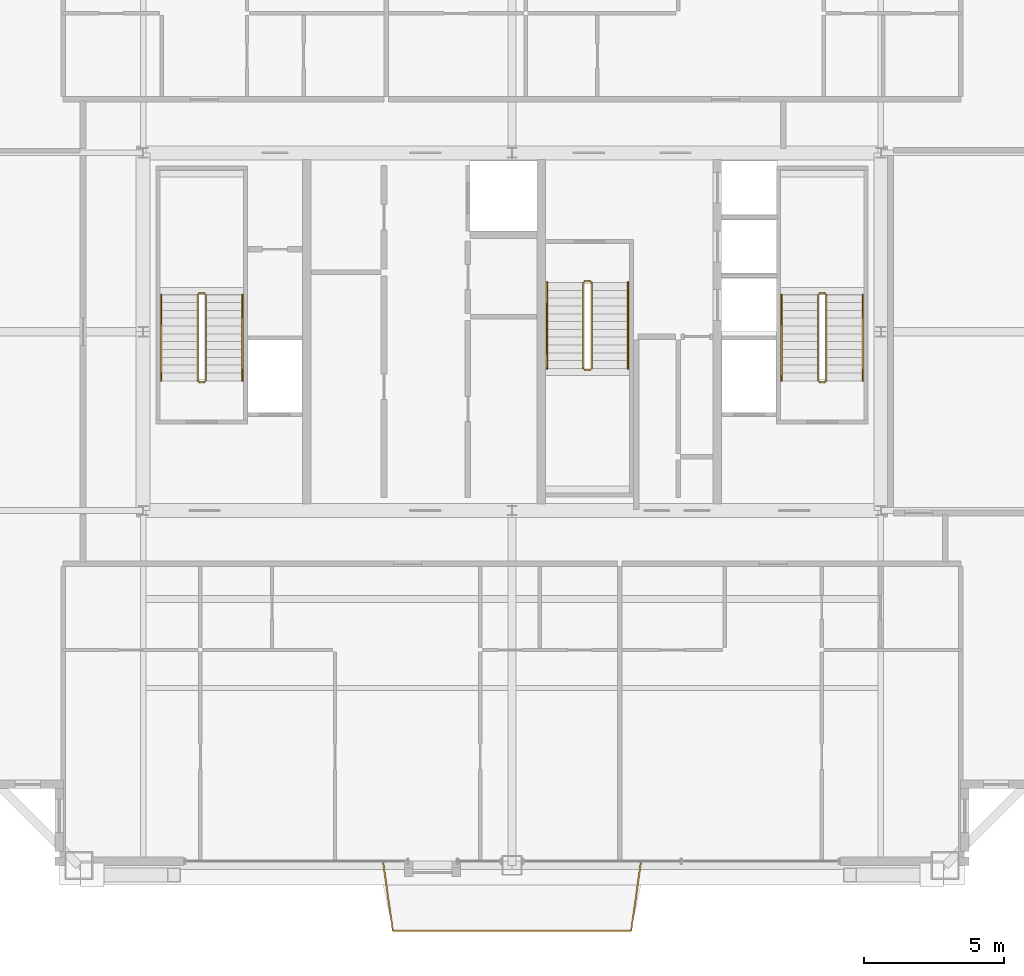
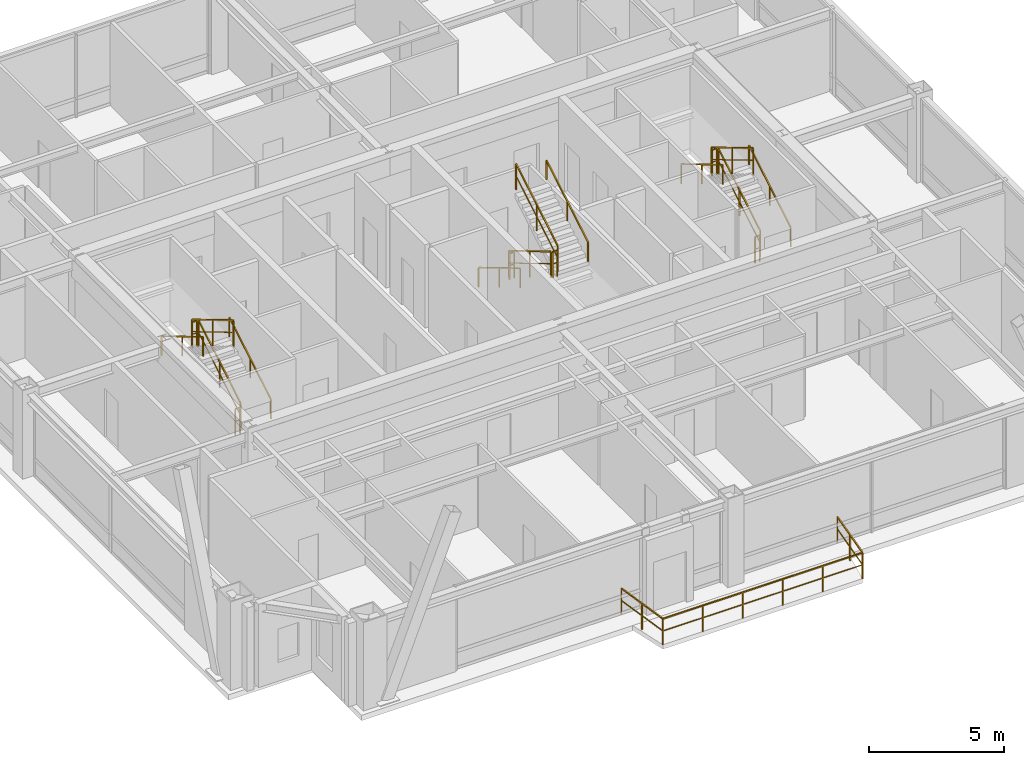
# One storey, part 35 of 35: 19 railings.
"""IFC4 building model written with IfcOpenShell, lengths in metres."""

from ifc_helpers import new_model, si_unit, direction, frame, origin, origin_2d, place, context, subcontext, project, spatial, rectangle, extrude, source, transform, mapped, material, layer, layer_set, type_object, element, save


model = new_model("IFC4")

# Units and contexts
model_context = context("Model", 3, precision=1e-05, world=origin(), true_north=direction((0.0, 1.0)))
body_context = subcontext(model_context, "Body", "Model", "MODEL_VIEW")
ifc_project = project(units=[si_unit("LENGTHUNIT", "METRE"), si_unit("AREAUNIT", "SQUARE_METRE"), si_unit("VOLUMEUNIT", "CUBIC_METRE"), si_unit("PLANEANGLEUNIT", "RADIAN"), si_unit("MASSUNIT", "GRAM", prefix="KILO"), si_unit("THERMODYNAMICTEMPERATUREUNIT", "KELVIN"), si_unit("POWERUNIT", "WATT")], contexts=[model_context])

# Site, building, storey
site_placement = place(None, origin())
site = spatial("IfcSite", under=ifc_project, at=site_placement, CompositionType="ELEMENT")
building_placement = place(site_placement, origin())
building = spatial("IfcBuilding", under=site, at=building_placement, Name="Yuzanri Waterfront Tower", CompositionType="ELEMENT")
storey_placement = place(building_placement, frame((0.0, 0.0, 343.199951171875)))
storey = spatial("IfcBuildingStorey", under=building, at=storey_placement, Name="L92", CompositionType="ELEMENT", Elevation=343.199951171875)

# Railings
ifc_material_1 = material(Name="Anodized Architectural Bronze", Category="metal")
ifc_layer_1 = layer(ifc_material_1, 0.080078125)
ifc_layer_set_1 = layer_set([ifc_layer_1], Name="Anodized Architectural Bronze")
railing_type_1 = type_object("IfcRailingType", Name="Laminated Glass and Bronze Balcony Guardrail 1200", PredefinedType="BALUSTRADE", material=ifc_layer_set_1)
shared_shape_1 = source(origin(), body_context, "Body", "SweptSolid", [
    extrude(rectangle(XDim=0.050048828125, YDim=0.050048828125, at=origin_2d()), frame((0.0, 0.0, 1.1748046875), z_axis=(0.139716103371, -0.990191602903, 0.0), x_axis=(0.990191602903, 0.139716103371, 0.0)), (0.0, 0.0, 1.0), 2.505859375),
    extrude(rectangle(XDim=0.035888671875, YDim=0.030029296875, at=origin_2d()), frame((0.0, 0.0, 0.6240234375), z_axis=(0.139716103371, -0.990191602903, 0.0), x_axis=(0.990191602903, 0.139716103371, 0.0)), (0.0, 0.0, 1.0), 2.505859375),
    extrude(rectangle(XDim=0.050048828125, YDim=0.050048828125, at=origin_2d()), frame((0.35009765625, -2.481201171875, 1.1748046875), z_axis=(1.0, 0.0, 0.0), x_axis=(0.0, 1.0, 0.0)), (0.0, 0.0, 1.0), 8.53076171875),
    extrude(rectangle(XDim=0.035888671875, YDim=0.030029296875, at=origin_2d()), frame((0.35009765625, -2.481201171875, 0.6240234375), z_axis=(1.0, 0.0, 0.0), x_axis=(0.0, 1.0, 0.0)), (0.0, 0.0, 1.0), 8.53076171875),
    extrude(rectangle(XDim=0.050048828125, YDim=0.050048828125, at=origin_2d()), frame((8.880859375, -2.481201171875, 1.1748046875), z_axis=(0.139716103371, 0.990191602903, 0.0), x_axis=(-0.990191602903, 0.139716103371, 0.0)), (0.0, 0.0, 1.0), 2.505859375),
    extrude(rectangle(XDim=0.035888671875, YDim=0.030029296875, at=origin_2d()), frame((8.880859375, -2.481201171875, 0.6240234375), z_axis=(0.139716103371, 0.990191602903, 0.0), x_axis=(-0.990191602903, 0.139716103371, 0.0)), (0.0, 0.0, 1.0), 2.505859375),
    extrude(rectangle(XDim=0.0458984375, YDim=0.0458984375, at=origin_2d()), origin(), (0.0, 0.0, 1.0), 1.14990234375),
    extrude(rectangle(XDim=0.0458984375, YDim=0.0458984375, at=origin_2d()), frame((0.175048828125, -1.24072265625, 0.0)), (0.0, 0.0, 1.0), 1.14990234375),
    extrude(rectangle(XDim=0.0458984375, YDim=0.0458984375, at=origin_2d()), frame((0.35009765625, -2.481201171875, 0.0)), (0.0, 0.0, 1.0), 1.14990234375),
    extrude(rectangle(XDim=0.0458984375, YDim=0.0458984375, at=origin_2d()), frame((2.05615234375, -2.481201171875, 0.0)), (0.0, 0.0, 1.0), 1.14990234375),
    extrude(rectangle(XDim=0.0458984375, YDim=0.0458984375, at=origin_2d()), frame((3.762451171875, -2.481201171875, 0.0)), (0.0, 0.0, 1.0), 1.14990234375),
    extrude(rectangle(XDim=0.0458984375, YDim=0.0458984375, at=origin_2d()), frame((5.468505859375, -2.481201171875, 0.0)), (0.0, 0.0, 1.0), 1.14990234375),
    extrude(rectangle(XDim=0.0458984375, YDim=0.0458984375, at=origin_2d()), frame((7.1748046875, -2.481201171875, 0.0)), (0.0, 0.0, 1.0), 1.14990234375),
    extrude(rectangle(XDim=0.0458984375, YDim=0.0458984375, at=origin_2d()), frame((8.880859375, -2.481201171875, 0.0)), (0.0, 0.0, 1.0), 1.14990234375),
    extrude(rectangle(XDim=0.0458984375, YDim=0.0458984375, at=origin_2d()), frame((9.055908203125, -1.24072265625, 0.0)), (0.0, 0.0, 1.0), 1.14990234375),
    extrude(rectangle(XDim=0.0458984375, YDim=0.0458984375, at=origin_2d()), frame((9.23095703125, 0.0, 0.0)), (0.0, 0.0, 1.0), 1.14990234375),
])
railing_placement = place(storey_placement, frame((32.384521484375, 6.85009765625, 0.0)))
element("IfcRailing", 1, at=railing_placement, inside=storey, type_object=railing_type_1, Name="L92 S Engawa Terrace Guardrail", PredefinedType="BALUSTRADE", context=body_context, shape_type="MappedRepresentation", body=[
    mapped(shared_shape_1, transform((0.0, 0.0, 0.0), scale=1.0)),
])
ifc_material_2 = material(Name="Painted Galvanized Fire Steel", Category="steel")
ifc_layer_2 = layer(ifc_material_2, 0.06005859375)
ifc_layer_set_2 = layer_set([ifc_layer_2], Name="Painted Galvanized Fire Steel")
railing_type_2 = type_object("IfcRailingType", Name="Painted Steel Stairwell Guardrail 1120", PredefinedType="GUARDRAIL", material=ifc_layer_set_2)
shared_shape_2 = source(origin(), body_context, "Body", "SweptSolid", [
    extrude(rectangle(XDim=0.050048828125, YDim=0.050048828125, at=origin_2d()), frame((0.0, 0.0, 1.1748046875), z_axis=(-1.0, 0.0, 0.0), x_axis=(0.0, -1.0, 0.0)), (0.0, 0.0, 1.0), 0.199951171875),
    extrude(rectangle(XDim=0.035888671875, YDim=0.030029296875, at=origin_2d()), frame((0.0, 0.0, 0.6240234375), z_axis=(-1.0, 0.0, 0.0), x_axis=(0.0, -1.0, 0.0)), (0.0, 0.0, 1.0), 0.199951171875),
    extrude(rectangle(XDim=0.0458984375, YDim=0.0458984375, at=origin_2d()), origin(), (0.0, 0.0, 1.0), 1.14990234375),
    extrude(rectangle(XDim=0.0458984375, YDim=0.0458984375, at=origin_2d()), frame((-0.199951171875, 0.0, 0.0)), (0.0, 0.0, 1.0), 1.14990234375),
])
for number, where, name in (
    (2, (26.0, 27.169921875, 2.0), "L92 ST-01 stair guard 2"),
    (3, (26.0, 23.989990234375, 0.0), "L92 ST-01 stair guard 4"),
    (4, (48.199951171875, 27.169921875, 2.0), "L92 ST-02 stair guard 2"),
    (5, (48.199951171875, 23.989990234375, 0.0), "L92 ST-02 stair guard 4"),
):
    element("IfcRailing", number, at=place(storey_placement, frame(where)), inside=storey, type_object=railing_type_2, Name=name, PredefinedType="GUARDRAIL", context=body_context, shape_type="MappedRepresentation", body=[
        mapped(shared_shape_2, transform((0.0, 0.0, 0.0), scale=1.0)),
    ])
shared_shape_3 = source(origin(), body_context, "Body", "SweptSolid", [
    extrude(rectangle(XDim=0.050048828125, YDim=0.050048828125, at=origin_2d()), frame((0.0, 0.0, 1.1748046875), z_axis=(0.0, 0.859308565015, 0.511457515432), x_axis=(-1.0, 0.0, 0.0)), (0.0, 0.0, 1.0), 3.58447265625),
    extrude(rectangle(XDim=0.035888671875, YDim=0.030029296875, at=origin_2d()), frame((0.0, 0.0, 0.6240234375), z_axis=(0.0, 0.859308565015, 0.511457515432), x_axis=(-1.0, 0.0, 0.0)), (0.0, 0.0, 1.0), 3.58447265625),
    extrude(rectangle(XDim=0.0458984375, YDim=0.0458984375, at=origin_2d()), origin(), (0.0, 0.0, 1.0), 1.14990234375),
    extrude(rectangle(XDim=0.0458984375, YDim=0.0458984375, at=origin_2d()), frame((0.0, 1.5400390625, 0.91650390625)), (0.0, 0.0, 1.0), 1.14990234375),
    extrude(rectangle(XDim=0.0458984375, YDim=0.0458984375, at=origin_2d()), frame((0.0, 3.080078125, 1.833251953125)), (0.0, 0.0, 1.0), 1.14990234375),
])
for number, where, name in (
    (6, (26.050048828125, 24.0400390625, 0.166748046875), "L92 ST-01 stair guard 1"),
    (7, (48.25, 24.0400390625, 0.166748046875), "L92 ST-02 stair guard 1"),
    (8, (39.85009765625, 24.47998046875, 2.166748046875), "L92 ST-03 stair guard 3"),
):
    element("IfcRailing", number, at=place(storey_placement, frame(where)), inside=storey, type_object=railing_type_2, Name=name, PredefinedType="GUARDRAIL", context=body_context, shape_type="MappedRepresentation", body=[
        mapped(shared_shape_3, transform((0.0, 0.0, 0.0), scale=1.0)),
    ])
shared_shape_4 = source(origin(), body_context, "Body", "SweptSolid", [
    extrude(rectangle(XDim=0.050048828125, YDim=0.050048828125, at=origin_2d()), frame((0.0, 0.0, 1.1748046875), z_axis=(0.0, -0.859308565015, 0.511457515432), x_axis=(1.0, 0.0, 0.0)), (0.0, 0.0, 1.0), 3.58447265625),
    extrude(rectangle(XDim=0.035888671875, YDim=0.030029296875, at=origin_2d()), frame((0.0, 0.0, 0.6240234375), z_axis=(0.0, -0.859308565015, 0.511457515432), x_axis=(1.0, 0.0, 0.0)), (0.0, 0.0, 1.0), 3.58447265625),
    extrude(rectangle(XDim=0.0458984375, YDim=0.0458984375, at=origin_2d()), origin(), (0.0, 0.0, 1.0), 1.14990234375),
    extrude(rectangle(XDim=0.0458984375, YDim=0.0458984375, at=origin_2d()), frame((0.0, -1.5400390625, 0.91650390625)), (0.0, 0.0, 1.0), 1.14990234375),
    extrude(rectangle(XDim=0.0458984375, YDim=0.0458984375, at=origin_2d()), frame((0.0, -3.080078125, 1.833251953125)), (0.0, 0.0, 1.0), 1.14990234375),
])
for number, where, name in (
    (9, (25.75, 27.1201171875, 2.166748046875), "L92 ST-01 stair guard 3"),
    (10, (47.949951171875, 27.1201171875, 2.166748046875), "L92 ST-02 stair guard 3"),
    (11, (39.550048828125, 27.56005859375, 0.166748046875), "L92 ST-03 stair guard 1"),
):
    element("IfcRailing", number, at=place(storey_placement, frame(where)), inside=storey, type_object=railing_type_2, Name=name, PredefinedType="GUARDRAIL", context=body_context, shape_type="MappedRepresentation", body=[
        mapped(shared_shape_4, transform((0.0, 0.0, 0.0), scale=1.0)),
    ])
ifc_material_3 = material(Name="Anodized Architectural Bronze", Category="metal")
ifc_layer_3 = layer(ifc_material_3, 0.050048828125)
ifc_layer_set_3 = layer_set([ifc_layer_3], Name="Anodized Architectural Bronze")
railing_type_3 = type_object("IfcRailingType", Name="Brushed Bronze Stair Pitch Handrail 920", PredefinedType="HANDRAIL", material=ifc_layer_set_3)
shared_shape_5 = source(origin(), body_context, "Body", "SweptSolid", [
    extrude(rectangle(XDim=0.050048828125, YDim=0.050048828125, at=origin_2d()), frame((0.0, 0.0, 0.875), z_axis=(0.0, 0.859308565015, 0.511457515432), x_axis=(-1.0, 0.0, 0.0)), (0.0, 0.0, 1.0), 3.58447265625),
    extrude(rectangle(XDim=0.0458984375, YDim=0.0458984375, at=origin_2d()), origin(), (0.0, 0.0, 1.0), 0.849853515625),
    extrude(rectangle(XDim=0.0458984375, YDim=0.0458984375, at=origin_2d()), frame((0.0, 1.5400390625, 0.91650390625)), (0.0, 0.0, 1.0), 0.849853515625),
    extrude(rectangle(XDim=0.0458984375, YDim=0.0458984375, at=origin_2d()), frame((0.0, 3.080078125, 1.833251953125)), (0.0, 0.0, 1.0), 0.849853515625),
])
for number, where, name in (
    (12, (27.35009765625, 24.0400390625, 0.166748046875), "L92 ST-01 stair handrail 1"),
    (13, (49.550048828125, 24.0400390625, 0.166748046875), "L92 ST-02 stair handrail 1"),
    (14, (41.14990234375, 24.47998046875, 2.166748046875), "L92 ST-03 stair handrail 2"),
):
    element("IfcRailing", number, at=place(storey_placement, frame(where)), inside=storey, type_object=railing_type_3, Name=name, PredefinedType="HANDRAIL", context=body_context, shape_type="MappedRepresentation", body=[
        mapped(shared_shape_5, transform((0.0, 0.0, 0.0), scale=1.0)),
    ])
shared_shape_6 = source(origin(), body_context, "Body", "SweptSolid", [
    extrude(rectangle(XDim=0.050048828125, YDim=0.050048828125, at=origin_2d()), frame((0.0, 0.0, 0.875), z_axis=(0.0, -0.859308565015, 0.511457515432), x_axis=(1.0, 0.0, 0.0)), (0.0, 0.0, 1.0), 3.58447265625),
    extrude(rectangle(XDim=0.0458984375, YDim=0.0458984375, at=origin_2d()), origin(), (0.0, 0.0, 1.0), 0.849853515625),
    extrude(rectangle(XDim=0.0458984375, YDim=0.0458984375, at=origin_2d()), frame((0.0, -1.5400390625, 0.91650390625)), (0.0, 0.0, 1.0), 0.849853515625),
    extrude(rectangle(XDim=0.0458984375, YDim=0.0458984375, at=origin_2d()), frame((0.0, -3.080078125, 1.833251953125)), (0.0, 0.0, 1.0), 0.849853515625),
])
for number, where, name in (
    (15, (24.449951171875, 27.1201171875, 2.166748046875), "L92 ST-01 stair handrail 2"),
    (16, (46.64990234375, 27.1201171875, 2.166748046875), "L92 ST-02 stair handrail 2"),
    (17, (38.25, 27.56005859375, 0.166748046875), "L92 ST-03 stair handrail 1"),
):
    element("IfcRailing", number, at=place(storey_placement, frame(where)), inside=storey, type_object=railing_type_3, Name=name, PredefinedType="HANDRAIL", context=body_context, shape_type="MappedRepresentation", body=[
        mapped(shared_shape_6, transform((0.0, 0.0, 0.0), scale=1.0)),
    ])
shared_shape_7 = source(origin(), body_context, "Body", "SweptSolid", [
    extrude(rectangle(XDim=0.050048828125, YDim=0.050048828125, at=origin_2d()), frame((0.0, 0.0, 1.1748046875), z_axis=(1.0, 0.0, 0.0), x_axis=(0.0, 1.0, 0.0)), (0.0, 0.0, 1.0), 0.199951171875),
    extrude(rectangle(XDim=0.035888671875, YDim=0.030029296875, at=origin_2d()), frame((0.0, 0.0, 0.6240234375), z_axis=(1.0, 0.0, 0.0), x_axis=(0.0, 1.0, 0.0)), (0.0, 0.0, 1.0), 0.199951171875),
    extrude(rectangle(XDim=0.0458984375, YDim=0.0458984375, at=origin_2d()), origin(), (0.0, 0.0, 1.0), 1.14990234375),
    extrude(rectangle(XDim=0.0458984375, YDim=0.0458984375, at=origin_2d()), frame((0.199951171875, 0.0, 0.0)), (0.0, 0.0, 1.0), 1.14990234375),
])
for number, where, name in (
    (18, (39.60009765625, 24.429931640625, 2.0), "L92 ST-03 stair guard 2"),
    (19, (39.60009765625, 27.610107421875, 0.0), "L92 ST-03 stair guard 4"),
):
    element("IfcRailing", number, at=place(storey_placement, frame(where)), inside=storey, type_object=railing_type_2, Name=name, PredefinedType="GUARDRAIL", context=body_context, shape_type="MappedRepresentation", body=[
        mapped(shared_shape_7, transform((0.0, 0.0, 0.0), scale=1.0)),
    ])

save(model, "model.ifc")
